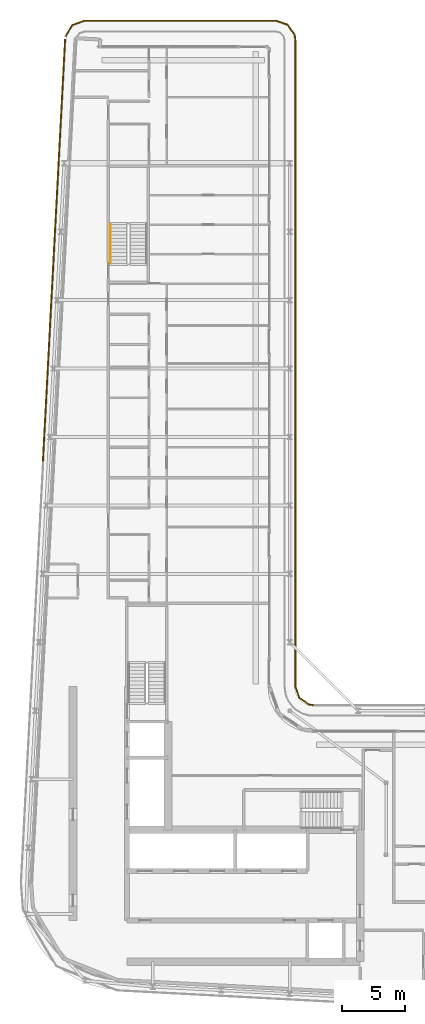
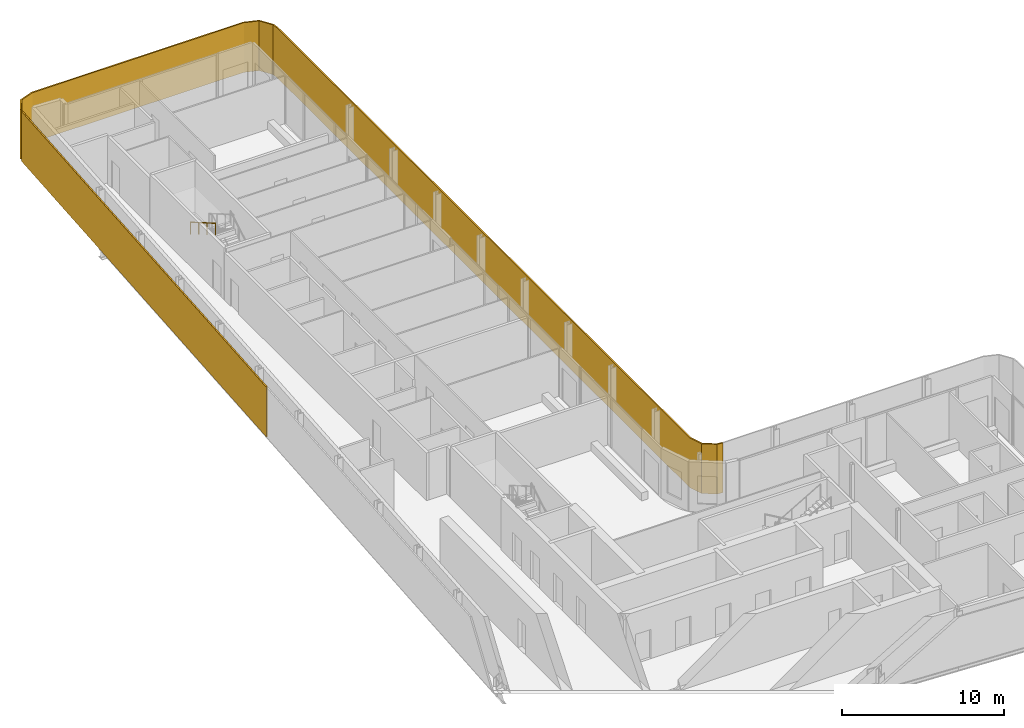
# One storey, part 19 of 21: 2 shading devices, 1 railing.
"""IFC4 building model written with IfcOpenShell, lengths in metres."""

import ifcopenshell
import ifcopenshell.guid

model = None  # the IFC model being written
_history = None  # IfcOwnerHistory: only IFC2X3 demands one
_inside = {}  # id of a spatial element -> (the spatial element, [elements in it])
_under = {}  # id of a project, library or spatial element -> (it, [spatial elements below it])
_declared = {}  # id of a project -> (the project, [libraries it declares])
_typed = {}  # id of a type object -> (the type object, [elements of that type])
_made_of = {}  # id of a material, layer set ... -> (it, [elements and type objects made of it])


def new_model(schema):
    """Start an empty IFC model of exactly this schema.

    Asked for "IFC4X3", IfcOpenShell would pick the latest addendum, in which some entities
    have other attributes; the version numbers below select the first issue.
    IFC2X3 requires an IfcOwnerHistory on every rooted entity: one is made here for all.
    """
    global model, _history
    if schema == "IFC4X3":
        model = ifcopenshell.file(schema_version=(4, 3, 0, 0))
    else:
        model = ifcopenshell.file(schema=schema)
    _inside.clear()
    _under.clear()
    _declared.clear()
    _typed.clear()
    _made_of.clear()
    _history = None
    if model.schema == "IFC2X3":
        org = make("IfcOrganization", Name="unknown")
        user = make(
            "IfcPersonAndOrganization",
            ThePerson=make("IfcPerson", FamilyName="unknown"),
            TheOrganization=org,
        )
        app = make(
            "IfcApplication",
            ApplicationDeveloper=org,
            Version="unknown",
            ApplicationFullName="unknown",
            ApplicationIdentifier="unknown",
        )
        _history = make(
            "IfcOwnerHistory",
            OwningUser=user,
            OwningApplication=app,
            ChangeAction="ADDED",
            CreationDate=0,
        )
    return model


def make(cls, **values):
    """One entity of the class cls with the attributes given. An attribute that is None is left unset."""
    return model.create_entity(
        cls, **{name: value for name, value in values.items() if value is not None}
    )


def rooted(cls, **values):
    """An entity with a GlobalId (a new one), such as an element, a storey or a relation."""
    return make(cls, GlobalId=ifcopenshell.guid.new(), OwnerHistory=_history, **values)


def si_unit(unit_type, name, prefix=None):
    """IfcSIUnit, for example si_unit("LENGTHUNIT", "METRE", prefix="MILLI")."""
    return make("IfcSIUnit", UnitType=unit_type, Prefix=prefix, Name=name)


def assignment(units):
    """IfcUnitAssignment: the units of a project."""
    return None if units is None else make("IfcUnitAssignment", Units=units)


def point(xyz):
    """IfcCartesianPoint."""
    return None if xyz is None else make("IfcCartesianPoint", Coordinates=xyz)


def direction(xyz):
    """IfcDirection."""
    return None if xyz is None else make("IfcDirection", DirectionRatios=xyz)


def frame(location, z_axis=None, x_axis=None):
    """IfcAxis2Placement3D, a coordinate frame: its origin and axes. An axis left out is left unset."""
    return make(
        "IfcAxis2Placement3D",
        Location=point(location),
        Axis=direction(z_axis),
        RefDirection=direction(x_axis),
    )


def frame_2d(location, x_axis=None):
    """IfcAxis2Placement2D, a coordinate frame in the plane: its origin and x axis."""
    return make(
        "IfcAxis2Placement2D", Location=point(location), RefDirection=direction(x_axis)
    )


def origin():
    """The frame at (0, 0, 0) with its axes left unset."""
    return frame((0.0, 0.0, 0.0))


def origin_2d():
    """The frame at (0, 0) in the plane with its x axis left unset."""
    return frame_2d((0.0, 0.0))


def place(relative_to, where):
    """IfcLocalPlacement: puts the frame where relative to a parent placement (None: the world)."""
    return make(
        "IfcLocalPlacement", PlacementRelTo=relative_to, RelativePlacement=where
    )


def context(
    kind, dimensions, precision=None, world=None, true_north=None, identifier=None
):
    """IfcGeometricRepresentationContext, for example the 3D "Model" context."""
    return make(
        "IfcGeometricRepresentationContext",
        ContextIdentifier=identifier,
        ContextType=kind,
        CoordinateSpaceDimension=dimensions,
        Precision=precision,
        WorldCoordinateSystem=world,
        TrueNorth=true_north,
    )


def subcontext(parent, identifier, kind, view, scale=None):
    """IfcGeometricRepresentationSubContext, for example "Body" below "Model"."""
    return make(
        "IfcGeometricRepresentationSubContext",
        ContextIdentifier=identifier,
        ContextType=kind,
        ParentContext=parent,
        TargetScale=scale,
        TargetView=view,
    )


def project(units=None, contexts=None):
    """IfcProject with its units and contexts."""
    return rooted(
        "IfcProject",
        Name="project",
        RepresentationContexts=contexts,
        UnitsInContext=assignment(units),
    )


def spatial(cls, under=None, at=None, **own):
    """A site, building, storey or space (cls), placed at a placement, below another one or the project."""
    s = rooted(cls, ObjectPlacement=at, **own)
    if under is not None:
        _under.setdefault(under.id(), (under, []))[1].append(s)
    return s


def polyline(points):
    """IfcPolyline through the points."""
    return make("IfcPolyline", Points=[point(p) for p in points])


def profile(cls, at=None, kind="AREA", **sizes):
    """A parametric profile (cls). Its sizes go by their IFC names, for example OverallWidth=200.0."""
    return make(cls, ProfileType=kind, Position=at, **sizes)


def rectangle(**sizes):
    """IfcRectangleProfileDef."""
    return profile("IfcRectangleProfileDef", **sizes)


def circle(**sizes):
    """IfcCircleProfileDef."""
    return profile("IfcCircleProfileDef", **sizes)


def outline(outer, holes=None, kind="AREA"):
    """IfcArbitraryClosedProfileDef: a profile drawn as a closed curve; with holes, ...WithVoids."""
    if holes is None:
        return make("IfcArbitraryClosedProfileDef", ProfileType=kind, OuterCurve=outer)
    return make(
        "IfcArbitraryProfileDefWithVoids",
        ProfileType=kind,
        OuterCurve=outer,
        InnerCurves=holes,
    )


def extrude(swept, where, along, depth):
    """IfcExtrudedAreaSolid: the profile swept, set in the frame where, extruded along a direction by depth."""
    return make(
        "IfcExtrudedAreaSolid",
        SweptArea=swept,
        Position=where,
        ExtrudedDirection=direction(along),
        Depth=depth,
    )


def shape(context_of_items, identifier, shape_type, items):
    """IfcShapeRepresentation: the items that make up one representation, for example the "Body"."""
    return make(
        "IfcShapeRepresentation",
        ContextOfItems=context_of_items,
        RepresentationIdentifier=identifier,
        RepresentationType=shape_type,
        Items=items,
    )


def material(Name=None, Category=None):
    """IfcMaterial."""
    return make("IfcMaterial", Name=Name, Category=Category)


def layer(
    of_material, thickness, ventilated=None, Name=None, Category=None, Priority=None
):
    """IfcMaterialLayer: one layer of a wall or slab, of a material (None: an air gap)."""
    return make(
        "IfcMaterialLayer",
        Material=of_material,
        LayerThickness=thickness,
        IsVentilated=ventilated,
        Name=Name,
        Category=Category,
        Priority=Priority,
    )


def layer_set(layers, Name=None):
    """IfcMaterialLayerSet."""
    return make("IfcMaterialLayerSet", MaterialLayers=layers, LayerSetName=Name)


def made_of(thing, what):
    """Note that an element or type object is made of a material, layer set ...; save() writes the relation."""
    if what is not None:
        _made_of.setdefault(what.id(), (what, []))[1].append(thing)
    return thing


def type_object(cls, material=None, **own):
    """A type object (cls), such as IfcWallType, which elements share."""
    return made_of(rooted(cls, **own), material)


def element(
    cls,
    number,
    at=None,
    inside=None,
    cuts=None,
    type_object=None,
    material=None,
    context=None,
    identifier="Body",
    shape_type=None,
    held_by="IfcProductDefinitionShape",
    body=None,
    shapes=None,
    **own,
):
    """One element of the class cls, such as IfcWall. Its Tag is "e" and its number.

    at: its placement. inside: the storey or other place that contains it. cuts: it is an
    opening in that element (IfcRelVoidsElement). A single representation is given by context,
    identifier, shape_type and body (its items); several are given by shapes. held_by: the class
    of the entity that holds the representations. save() writes the other relations.
    """
    e = rooted(cls, Tag="e%d" % number, ObjectPlacement=at, **own)
    if body is not None:
        shapes = [shape(context, identifier, shape_type, body)]
    if shapes is not None:
        e.Representation = make(held_by, Representations=shapes)
    if inside is not None:
        _inside.setdefault(inside.id(), (inside, []))[1].append(e)
    if cuts is not None:
        rooted(
            "IfcRelVoidsElement", RelatingBuildingElement=cuts, RelatedOpeningElement=e
        )
    if type_object is not None:
        _typed.setdefault(type_object.id(), (type_object, []))[1].append(e)
    return made_of(e, material)


def aggregate(whole, parts):
    """IfcRelAggregates: a whole, such as a stair, and the parts it consists of."""
    return rooted("IfcRelAggregates", RelatingObject=whole, RelatedObjects=parts)


def save(model, path):
    """Write the relations noted so far, then the file.

    IfcRelAggregates (storeys below a building ...), IfcRelContainedInSpatialStructure (elements
    in a storey), IfcRelDefinesByType, IfcRelAssociatesMaterial and IfcRelDeclares: one each for
    every whole, place, type object, material and project.
    """
    for whole, parts in _under.values():
        aggregate(whole, parts)
    for where, things in _inside.values():
        rooted(
            "IfcRelContainedInSpatialStructure",
            RelatedElements=things,
            RelatingStructure=where,
        )
    for kind, things in _typed.values():
        rooted("IfcRelDefinesByType", RelatedObjects=things, RelatingType=kind)
    for what, things in _made_of.values():
        rooted("IfcRelAssociatesMaterial", RelatedObjects=things, RelatingMaterial=what)
    for by, libraries in _declared.values():
        rooted("IfcRelDeclares", RelatingContext=by, RelatedDefinitions=libraries)
    model.write(path)


model = new_model("IFC4")

# Units and contexts
model_context = context("Model", 3, precision=1e-05, world=origin(), true_north=direction((0.0, 1.0)))
body_context = subcontext(model_context, "Body", "Model", "MODEL_VIEW")
ifc_project = project(units=[si_unit("LENGTHUNIT", "METRE"), si_unit("AREAUNIT", "SQUARE_METRE"), si_unit("VOLUMEUNIT", "CUBIC_METRE"), si_unit("PLANEANGLEUNIT", "RADIAN"), si_unit("MASSUNIT", "GRAM", prefix="KILO")], contexts=[model_context])

# Site, building, storey
site_placement = place(None, origin())
site = spatial("IfcSite", under=ifc_project, at=site_placement, CompositionType="ELEMENT")
building_placement = place(site_placement, origin())
building = spatial("IfcBuilding", under=site, at=building_placement, Name="Kheshtan School and Residences Tower", CompositionType="ELEMENT")
storey_placement = place(building_placement, frame((0.0, 0.0, 290.300048828125)))
storey = spatial("IfcBuildingStorey", under=building, at=storey_placement, Name="L68", CompositionType="ELEMENT", Elevation=290.300048828125)

# Shading devices
ifc_material_1 = material(Name="Terracotta baguette, extruded ceramic", Category="masonry")
ifc_layer_1 = layer(ifc_material_1, 0.10009765625)
ifc_layer_set_1 = layer_set([ifc_layer_1], Name="Ledge screen, terracotta baguettes")
shading_device_type_1 = type_object("IfcShadingDeviceType", Name="Ledge screen, terracotta baguettes", PredefinedType="USERDEFINED", material=ifc_layer_set_1)
shading_device_1_placement = place(storey_placement, frame((28.9990234375, 81.93408203125, 0.0), z_axis=(0.0, 0.0, 1.0), x_axis=(0.052562536748, 0.998617634398, 0.0)))
element("IfcShadingDevice", 1, at=shading_device_1_placement, inside=storey, type_object=shading_device_type_1, Name="Screen L68 5", ObjectType="BAGUETTE", PredefinedType="USERDEFINED", context=body_context, shape_type="SweptSolid", body=[
    extrude(rectangle(XDim=33.341064453125, YDim=0.10009765625, at=origin_2d()), origin(), (0.0, 0.0, 1.0), 3.75),
])
ifc_material_2 = material(Name="Terracotta lattice, extruded ceramic", Category="masonry")
ifc_layer_2 = layer(ifc_material_2, 0.10009765625)
ifc_layer_set_2 = layer_set([ifc_layer_2], Name="Loggia screen, terracotta lattice")
shading_device_type_2 = type_object("IfcShadingDeviceType", Name="Loggia screen, terracotta lattice", PredefinedType="USERDEFINED", material=ifc_layer_set_2)
shading_device_2_placement = place(storey_placement, origin())
element("IfcShadingDevice", 2, at=shading_device_2_placement, inside=storey, type_object=shading_device_type_2, Name="Screen L68 1", ObjectType="SCREEN", PredefinedType="USERDEFINED", context=body_context, shape_type="SweptSolid", body=[
    extrude(outline(polyline([(29.949951171875, 98.783935546875), (30.468017578125, 99.656982421875), (31.423095703125, 100.0), (46.5, 100.0), (47.4130859375, 99.68994140625), (47.948974609375, 98.887939453125), (48.0, 98.5), (48.0, 47.5), (48.31005859375, 46.5869140625), (49.112060546875, 46.051025390625), (49.5, 46.0), (49.512939453125, 46.09912109375), (49.14794921875, 46.14697265625), (48.39404296875, 46.65087890625), (48.10009765625, 47.51708984375), (48.10009765625, 98.507080078125), (48.044921875, 98.924072265625), (47.47705078125, 99.77392578125), (46.51708984375, 100.10009765625), (31.406005859375, 100.10009765625), (30.39990234375, 99.739013671875), (29.864013671875, 98.8349609375), (29.949951171875, 98.783935546875)])), origin(), (0.0, 0.0, 1.0), 3.75),
])

# Railing
ifc_material_3 = material(Name="Stainless steel handrail", Category="steel")
railing_type = type_object("IfcRailingType", Name="Stair handrail 900", PredefinedType="HANDRAIL", material=ifc_material_3)
railing_placement = place(storey_placement, frame((33.449951171875, 83.97998046875, 2.112548828125)))
element("IfcRailing", 3, at=railing_placement, inside=storey, type_object=railing_type, Name="L68 ST3 stair handrail 2", PredefinedType="HANDRAIL", context=body_context, shape_type="SweptSolid", body=[
    extrude(circle(Radius=0.02392578125, at=origin_2d()), frame((0.0, 0.0, 0.8759765625), z_axis=(0.0, -0.864920483161, 0.501908913857), x_axis=(1.0, 0.0, 0.0)), (0.0, 0.0, 1.0), 3.56103515625),
    extrude(circle(Radius=0.02099609375, at=origin_2d()), origin(), (0.0, 0.0, 1.0), 0.851806640625),
    extrude(circle(Radius=0.02099609375, at=origin_2d()), frame((0.0, -1.026611328125, 0.595703125)), (0.0, 0.0, 1.0), 0.851806640625),
    extrude(circle(Radius=0.02099609375, at=origin_2d()), frame((0.0, -2.053466796875, 1.191650390625)), (0.0, 0.0, 1.0), 0.851806640625),
    extrude(circle(Radius=0.02099609375, at=origin_2d()), frame((0.0, -3.080078125, 1.787353515625)), (0.0, 0.0, 1.0), 0.851806640625),
])

save(model, "model.ifc")
